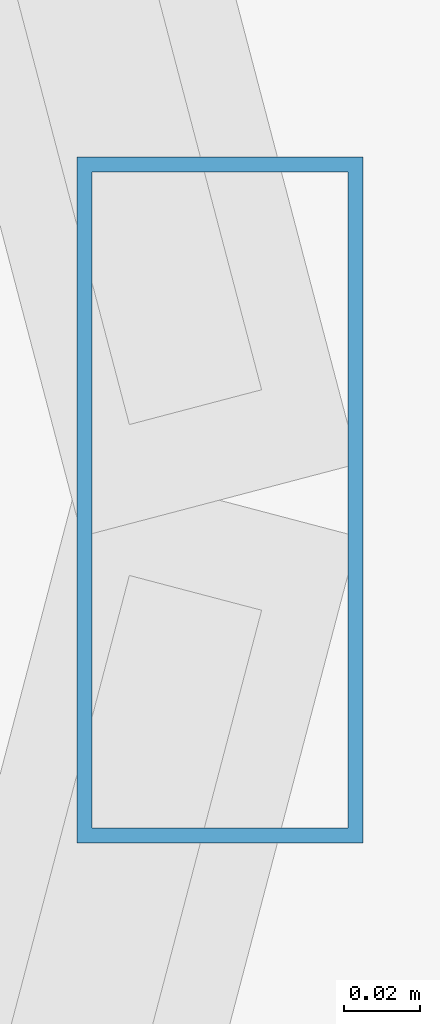
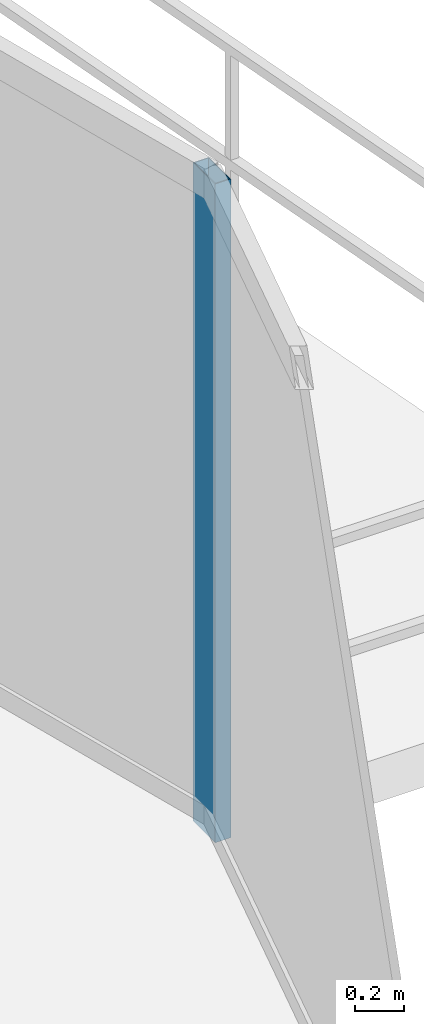
# One storey, part 15 of 33: 1 member, 1 element without a shape of its own.
"""IFC4 building model written with IfcOpenShell, lengths in metres."""

from ifc_helpers import new_model, si_unit, direction, frame, origin, origin_2d, place, context, subcontext, project, spatial, hollow_rectangle, extrude, material, material_profile, profile_set, type_object, element, aggregate, save


model = new_model("IFC4")

# Units and contexts
model_context = context("Model", 3, precision=1e-05, world=origin(), true_north=direction((0.0, 1.0)))
body_context = subcontext(model_context, "Body", "Model", "MODEL_VIEW")
ifc_project = project(units=[si_unit("LENGTHUNIT", "METRE"), si_unit("AREAUNIT", "SQUARE_METRE"), si_unit("VOLUMEUNIT", "CUBIC_METRE"), si_unit("PLANEANGLEUNIT", "RADIAN"), si_unit("MASSUNIT", "GRAM", prefix="KILO")], contexts=[model_context])

# Site, building, storey
site_placement = place(None, origin())
site = spatial("IfcSite", under=ifc_project, at=site_placement, CompositionType="ELEMENT")
building_placement = place(site_placement, origin())
building = spatial("IfcBuilding", under=site, at=building_placement, Name="Vorneva Point Tower", CompositionType="ELEMENT")
storey_placement = place(building_placement, frame((0.0, 0.0, 59.0)))
storey = spatial("IfcBuildingStorey", under=building, at=storey_placement, Name="L15", CompositionType="ELEMENT", Elevation=59.0)

# Curtain wall, member
ifc_material = material(Name="Pale anodised aluminium", Category="aluminium")
curtain_wall_type = type_object("IfcCurtainWallType", Name="CW-HTL-SYS", PredefinedType="NOTDEFINED", material=ifc_material)
curtain_wall_placement = place(storey_placement, origin())
curtain_wall = element("IfcCurtainWall", 1, at=curtain_wall_placement, inside=storey, type_object=curtain_wall_type, Name="L15 Unitised Curtain Wall CW-L15-R01", PredefinedType="NOTDEFINED")
ifc_material_profile = material_profile(ifc_material, hollow_rectangle(XDim=0.074951171875, YDim=0.179931640625, WallThickness=0.00390625, at=origin_2d()), Name="AL-MUL 180x75x4")
ifc_profile_set = profile_set([ifc_material_profile], Name="Pale anodised aluminium")
member_type = type_object("IfcMemberType", Name="CW-MUL-180", PredefinedType="MULLION", material=ifc_profile_set)
member_placement = place(storey_placement, frame((67.550048828125, 26.0, -0.0400390625), z_axis=(0.0, 0.0, 1.0), x_axis=(1.0, 0.0, 0.0)))
member = element("IfcMember", 2, at=member_placement, type_object=member_type, Name="CW-L15-R01 Mullion 03", PredefinedType="MULLION", context=body_context, shape_type="SweptSolid", body=[
    extrude(hollow_rectangle(XDim=0.074951171875, YDim=0.179931640625, WallThickness=0.00390625, at=origin_2d()), origin(), (0.0, 0.0, 1.0), 3.31005859375),
])
aggregate(curtain_wall, [member])

save(model, "model.ifc")
